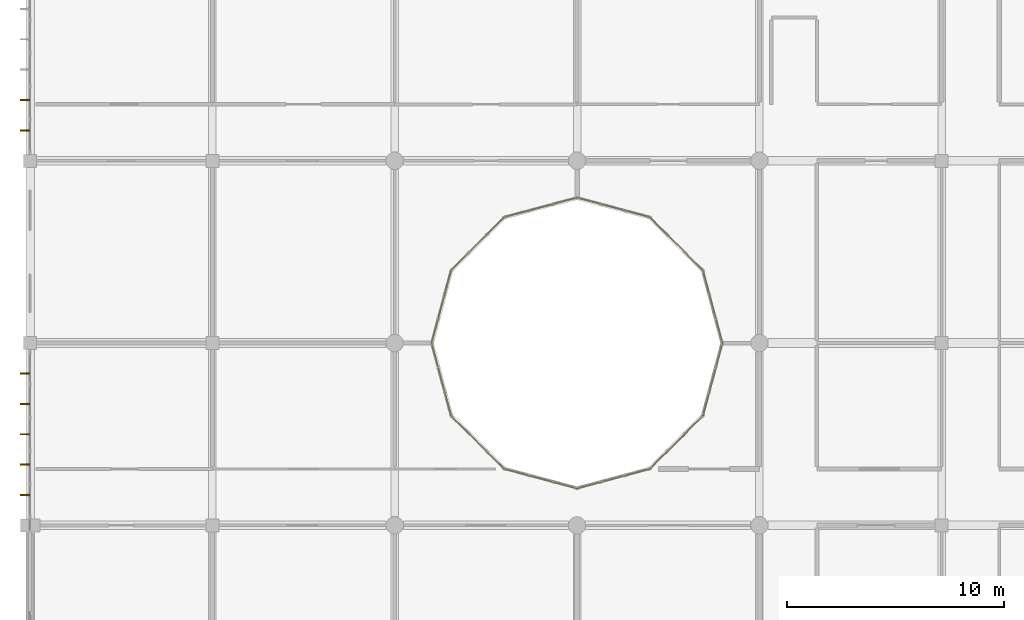
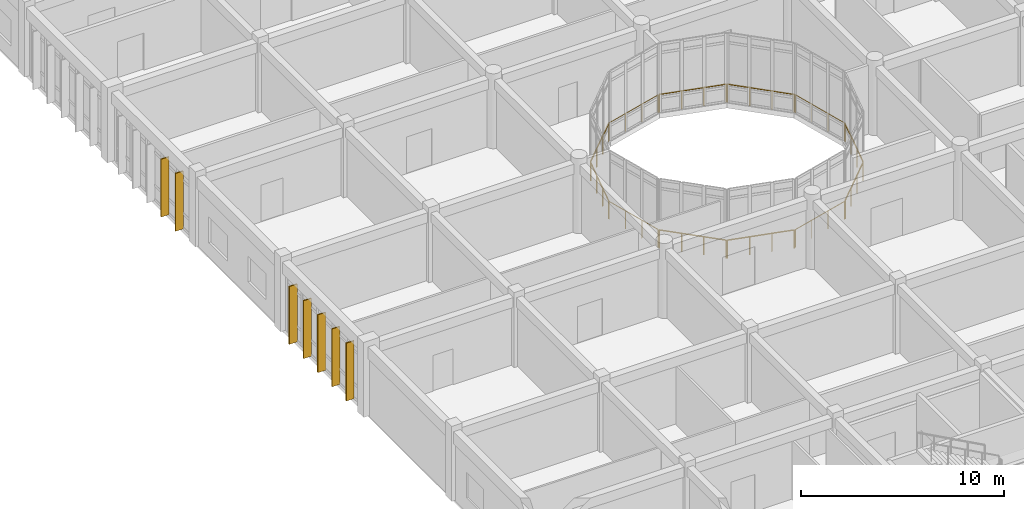
# One storey, part 131 of 144: 12 railings, 7 shading devices.
"""IFC4 building model written with IfcOpenShell, lengths in metres."""

from ifc_helpers import new_model, si_unit, direction, frame, origin, origin_2d, place, context, subcontext, project, spatial, rectangle, circle, extrude, material, material_profile, profile_set, type_object, element, save


model = new_model("IFC4")

# Units and contexts
model_context = context("Model", 3, precision=1e-05, world=origin(), true_north=direction((0.0, 1.0)))
body_context = subcontext(model_context, "Body", "Model", "MODEL_VIEW")
ifc_project = project(units=[si_unit("LENGTHUNIT", "METRE"), si_unit("AREAUNIT", "SQUARE_METRE"), si_unit("VOLUMEUNIT", "CUBIC_METRE"), si_unit("PLANEANGLEUNIT", "RADIAN"), si_unit("MASSUNIT", "GRAM", prefix="KILO")], contexts=[model_context])

# Site, building, storey
site_placement = place(None, origin())
site = spatial("IfcSite", under=ifc_project, at=site_placement, CompositionType="ELEMENT")
building_placement = place(site_placement, origin())
building = spatial("IfcBuilding", under=site, at=building_placement, Name="Bramfleet General Hospital", CompositionType="ELEMENT")
storey_placement = place(building_placement, frame((0.0, 0.0, 4.800048828125)))
storey = spatial("IfcBuildingStorey", under=building, at=storey_placement, Name="L01", CompositionType="ELEMENT", Elevation=4.800048828125)

# Railings
ifc_material_1 = material(Name="Stainless steel 1.4401 safety balustrade", Category="steel")
railing_type = type_object("IfcRailingType", Name="RAIL-EXT-GUARD", PredefinedType="GUARDRAIL", material=ifc_material_1)
railing_1_placement = place(storey_placement, frame((18.506103515625, 83.964599609375, 0.0)))
element("IfcRailing", 1, at=railing_1_placement, inside=storey, type_object=railing_type, Name="L01 Safety Guard Rail 37", PredefinedType="GUARDRAIL", context=body_context, shape_type="SweptSolid", body=[
    extrude(circle(Radius=0.02392578125, at=origin_2d()), frame((0.0, 0.0, 1.076171875), z_axis=(0.258772014909, -0.965938426764, 0.0), x_axis=(0.965938426764, 0.258772014909, 0.0)), (0.0, 0.0, 1.0), 3.396484375),
    extrude(circle(Radius=0.02099609375, at=origin_2d()), origin(), (0.0, 0.0, 1.0), 1.052001953125),
    extrude(circle(Radius=0.02099609375, at=origin_2d()), frame((0.29296875, -1.093505859375, 0.0)), (0.0, 0.0, 1.0), 1.052001953125),
    extrude(circle(Radius=0.02099609375, at=origin_2d()), frame((0.5859375, -2.187255859375, 0.0)), (0.0, 0.0, 1.0), 1.052001953125),
    extrude(circle(Radius=0.02099609375, at=origin_2d()), frame((0.87890625, -3.28076171875, 0.0)), (0.0, 0.0, 1.0), 1.052001953125),
])
railing_2_placement = place(storey_placement, frame((19.420654296875, 80.622314453125, 0.0)))
element("IfcRailing", 2, at=railing_2_placement, inside=storey, type_object=railing_type, Name="L01 Safety Guard Rail 38", PredefinedType="GUARDRAIL", context=body_context, shape_type="SweptSolid", body=[
    extrude(circle(Radius=0.02392578125, at=origin_2d()), frame((0.0, 0.0, 1.076171875), z_axis=(0.707106781187, -0.707106781187, 0.0), x_axis=(0.707106781187, 0.707106781187, 0.0)), (0.0, 0.0, 1.0), 3.396484375),
    extrude(circle(Radius=0.02099609375, at=origin_2d()), origin(), (0.0, 0.0, 1.0), 1.052001953125),
    extrude(circle(Radius=0.02099609375, at=origin_2d()), frame((0.800537109375, -0.800537109375, 0.0)), (0.0, 0.0, 1.0), 1.052001953125),
    extrude(circle(Radius=0.02099609375, at=origin_2d()), frame((1.60107421875, -1.60107421875, 0.0)), (0.0, 0.0, 1.0), 1.052001953125),
    extrude(circle(Radius=0.02099609375, at=origin_2d()), frame((2.401611328125, -2.401611328125, 0.0)), (0.0, 0.0, 1.0), 1.052001953125),
])
railing_3_placement = place(storey_placement, frame((21.8837890625, 78.18505859375, 0.0)))
element("IfcRailing", 3, at=railing_3_placement, inside=storey, type_object=railing_type, Name="L01 Safety Guard Rail 39", PredefinedType="GUARDRAIL", context=body_context, shape_type="SweptSolid", body=[
    extrude(circle(Radius=0.02392578125, at=origin_2d()), frame((0.0, 0.0, 1.076171875), z_axis=(0.965920457522, -0.258839080781, 0.0), x_axis=(0.258839080781, 0.965920457522, 0.0)), (0.0, 0.0, 1.0), 3.396484375),
    extrude(circle(Radius=0.02099609375, at=origin_2d()), origin(), (0.0, 0.0, 1.0), 1.052001953125),
    extrude(circle(Radius=0.02099609375, at=origin_2d()), frame((1.093505859375, -0.29296875, 0.0)), (0.0, 0.0, 1.0), 1.052001953125),
    extrude(circle(Radius=0.02099609375, at=origin_2d()), frame((2.187255859375, -0.586181640625, 0.0)), (0.0, 0.0, 1.0), 1.052001953125),
    extrude(circle(Radius=0.02099609375, at=origin_2d()), frame((3.28076171875, -0.879150390625, 0.0)), (0.0, 0.0, 1.0), 1.052001953125),
])
railing_4_placement = place(storey_placement, frame((25.235595703125, 77.305908203125, 0.0)))
element("IfcRailing", 4, at=railing_4_placement, inside=storey, type_object=railing_type, Name="L01 Safety Guard Rail 40", PredefinedType="GUARDRAIL", context=body_context, shape_type="SweptSolid", body=[
    extrude(circle(Radius=0.02392578125, at=origin_2d()), frame((0.0, 0.0, 1.076171875), z_axis=(0.965915641243, 0.25885705322, 0.0), x_axis=(-0.25885705322, 0.965915641243, 0.0)), (0.0, 0.0, 1.0), 3.396240234375),
    extrude(circle(Radius=0.02099609375, at=origin_2d()), origin(), (0.0, 0.0, 1.0), 1.052001953125),
    extrude(circle(Radius=0.02099609375, at=origin_2d()), frame((1.093505859375, 0.29296875, 0.0)), (0.0, 0.0, 1.0), 1.052001953125),
    extrude(circle(Radius=0.02099609375, at=origin_2d()), frame((2.18701171875, 0.586181640625, 0.0)), (0.0, 0.0, 1.0), 1.052001953125),
    extrude(circle(Radius=0.02099609375, at=origin_2d()), frame((3.280517578125, 0.879150390625, 0.0)), (0.0, 0.0, 1.0), 1.052001953125),
])
railing_5_placement = place(storey_placement, frame((28.577880859375, 78.220703125, 0.0)))
element("IfcRailing", 5, at=railing_5_placement, inside=storey, type_object=railing_type, Name="L01 Safety Guard Rail 41", PredefinedType="GUARDRAIL", context=body_context, shape_type="SweptSolid", body=[
    extrude(circle(Radius=0.02392578125, at=origin_2d()), frame((0.0, 0.0, 1.076171875), z_axis=(0.707106781187, 0.707106781187, 0.0), x_axis=(-0.707106781187, 0.707106781187, 0.0)), (0.0, 0.0, 1.0), 3.396484375),
    extrude(circle(Radius=0.02099609375, at=origin_2d()), origin(), (0.0, 0.0, 1.0), 1.052001953125),
    extrude(circle(Radius=0.02099609375, at=origin_2d()), frame((0.800537109375, 0.800537109375, 0.0)), (0.0, 0.0, 1.0), 1.052001953125),
    extrude(circle(Radius=0.02099609375, at=origin_2d()), frame((1.60107421875, 1.60107421875, 0.0)), (0.0, 0.0, 1.0), 1.052001953125),
    extrude(circle(Radius=0.02099609375, at=origin_2d()), frame((2.401611328125, 2.401611328125, 0.0)), (0.0, 0.0, 1.0), 1.052001953125),
])
railing_6_placement = place(storey_placement, frame((31.014892578125, 80.683837890625, 0.0)))
element("IfcRailing", 6, at=railing_6_placement, inside=storey, type_object=railing_type, Name="L01 Safety Guard Rail 42", PredefinedType="GUARDRAIL", context=body_context, shape_type="SweptSolid", body=[
    extrude(circle(Radius=0.02392578125, at=origin_2d()), frame((0.0, 0.0, 1.076171875), z_axis=(0.258839080781, 0.965920457522, 0.0), x_axis=(-0.965920457522, 0.258839080781, 0.0)), (0.0, 0.0, 1.0), 3.396484375),
    extrude(circle(Radius=0.02099609375, at=origin_2d()), origin(), (0.0, 0.0, 1.0), 1.052001953125),
    extrude(circle(Radius=0.02099609375, at=origin_2d()), frame((0.29296875, 1.093505859375, 0.0)), (0.0, 0.0, 1.0), 1.052001953125),
    extrude(circle(Radius=0.02099609375, at=origin_2d()), frame((0.586181640625, 2.187255859375, 0.0)), (0.0, 0.0, 1.0), 1.052001953125),
    extrude(circle(Radius=0.02099609375, at=origin_2d()), frame((0.879150390625, 3.28076171875, 0.0)), (0.0, 0.0, 1.0), 1.052001953125),
])
railing_7_placement = place(storey_placement, frame((31.89404296875, 84.035400390625, 0.0)))
element("IfcRailing", 7, at=railing_7_placement, inside=storey, type_object=railing_type, Name="L01 Safety Guard Rail 43", PredefinedType="GUARDRAIL", context=body_context, shape_type="SweptSolid", body=[
    extrude(circle(Radius=0.02392578125, at=origin_2d()), frame((0.0, 0.0, 1.076171875), z_axis=(-0.258839080781, 0.965920457522, 0.0), x_axis=(-0.965920457522, -0.258839080781, 0.0)), (0.0, 0.0, 1.0), 3.396484375),
    extrude(circle(Radius=0.02099609375, at=origin_2d()), origin(), (0.0, 0.0, 1.0), 1.052001953125),
    extrude(circle(Radius=0.02099609375, at=origin_2d()), frame((-0.29296875, 1.093505859375, 0.0)), (0.0, 0.0, 1.0), 1.052001953125),
    extrude(circle(Radius=0.02099609375, at=origin_2d()), frame((-0.586181640625, 2.187255859375, 0.0)), (0.0, 0.0, 1.0), 1.052001953125),
    extrude(circle(Radius=0.02099609375, at=origin_2d()), frame((-0.879150390625, 3.28076171875, 0.0)), (0.0, 0.0, 1.0), 1.052001953125),
])
railing_8_placement = place(storey_placement, frame((30.9794921875, 87.377685546875, 0.0)))
element("IfcRailing", 8, at=railing_8_placement, inside=storey, type_object=railing_type, Name="L01 Safety Guard Rail 44", PredefinedType="GUARDRAIL", context=body_context, shape_type="SweptSolid", body=[
    extrude(circle(Radius=0.02392578125, at=origin_2d()), frame((0.0, 0.0, 1.076171875), z_axis=(-0.707106781187, 0.707106781187, 0.0), x_axis=(-0.707106781187, -0.707106781187, 0.0)), (0.0, 0.0, 1.0), 3.396484375),
    extrude(circle(Radius=0.02099609375, at=origin_2d()), origin(), (0.0, 0.0, 1.0), 1.052001953125),
    extrude(circle(Radius=0.02099609375, at=origin_2d()), frame((-0.800537109375, 0.800537109375, 0.0)), (0.0, 0.0, 1.0), 1.052001953125),
    extrude(circle(Radius=0.02099609375, at=origin_2d()), frame((-1.60107421875, 1.60107421875, 0.0)), (0.0, 0.0, 1.0), 1.052001953125),
    extrude(circle(Radius=0.02099609375, at=origin_2d()), frame((-2.401611328125, 2.401611328125, 0.0)), (0.0, 0.0, 1.0), 1.052001953125),
])
railing_9_placement = place(storey_placement, frame((28.51611328125, 89.81494140625, 0.0)))
element("IfcRailing", 9, at=railing_9_placement, inside=storey, type_object=railing_type, Name="L01 Safety Guard Rail 45", PredefinedType="GUARDRAIL", context=body_context, shape_type="SweptSolid", body=[
    extrude(circle(Radius=0.02392578125, at=origin_2d()), frame((0.0, 0.0, 1.076171875), z_axis=(-0.965915641243, 0.25885705322, 0.0), x_axis=(-0.25885705322, -0.965915641243, 0.0)), (0.0, 0.0, 1.0), 3.396240234375),
    extrude(circle(Radius=0.02099609375, at=origin_2d()), origin(), (0.0, 0.0, 1.0), 1.052001953125),
    extrude(circle(Radius=0.02099609375, at=origin_2d()), frame((-1.093505859375, 0.29296875, 0.0)), (0.0, 0.0, 1.0), 1.052001953125),
    extrude(circle(Radius=0.02099609375, at=origin_2d()), frame((-2.18701171875, 0.586181640625, 0.0)), (0.0, 0.0, 1.0), 1.052001953125),
    extrude(circle(Radius=0.02099609375, at=origin_2d()), frame((-3.280517578125, 0.879150390625, 0.0)), (0.0, 0.0, 1.0), 1.052001953125),
])
railing_10_placement = place(storey_placement, frame((25.16455078125, 90.694091796875, 0.0)))
element("IfcRailing", 10, at=railing_10_placement, inside=storey, type_object=railing_type, Name="L01 Safety Guard Rail 46", PredefinedType="GUARDRAIL", context=body_context, shape_type="SweptSolid", body=[
    extrude(circle(Radius=0.02392578125, at=origin_2d()), frame((0.0, 0.0, 1.076171875), z_axis=(-0.965920457522, -0.258839080781, 0.0), x_axis=(0.258839080781, -0.965920457522, 0.0)), (0.0, 0.0, 1.0), 3.396484375),
    extrude(circle(Radius=0.02099609375, at=origin_2d()), origin(), (0.0, 0.0, 1.0), 1.052001953125),
    extrude(circle(Radius=0.02099609375, at=origin_2d()), frame((-1.093505859375, -0.29296875, 0.0)), (0.0, 0.0, 1.0), 1.052001953125),
    extrude(circle(Radius=0.02099609375, at=origin_2d()), frame((-2.187255859375, -0.586181640625, 0.0)), (0.0, 0.0, 1.0), 1.052001953125),
    extrude(circle(Radius=0.02099609375, at=origin_2d()), frame((-3.28076171875, -0.879150390625, 0.0)), (0.0, 0.0, 1.0), 1.052001953125),
])
railing_11_placement = place(storey_placement, frame((21.822265625, 89.779296875, 0.0)))
element("IfcRailing", 11, at=railing_11_placement, inside=storey, type_object=railing_type, Name="L01 Safety Guard Rail 47", PredefinedType="GUARDRAIL", context=body_context, shape_type="SweptSolid", body=[
    extrude(circle(Radius=0.02392578125, at=origin_2d()), frame((0.0, 0.0, 1.076171875), z_axis=(-0.707106781187, -0.707106781187, 0.0), x_axis=(0.707106781187, -0.707106781187, 0.0)), (0.0, 0.0, 1.0), 3.396484375),
    extrude(circle(Radius=0.02099609375, at=origin_2d()), origin(), (0.0, 0.0, 1.0), 1.052001953125),
    extrude(circle(Radius=0.02099609375, at=origin_2d()), frame((-0.800537109375, -0.800537109375, 0.0)), (0.0, 0.0, 1.0), 1.052001953125),
    extrude(circle(Radius=0.02099609375, at=origin_2d()), frame((-1.60107421875, -1.60107421875, 0.0)), (0.0, 0.0, 1.0), 1.052001953125),
    extrude(circle(Radius=0.02099609375, at=origin_2d()), frame((-2.401611328125, -2.401611328125, 0.0)), (0.0, 0.0, 1.0), 1.052001953125),
])
railing_12_placement = place(storey_placement, frame((19.385009765625, 87.316162109375, 0.0)))
element("IfcRailing", 12, at=railing_12_placement, inside=storey, type_object=railing_type, Name="L01 Safety Guard Rail 48", PredefinedType="GUARDRAIL", context=body_context, shape_type="SweptSolid", body=[
    extrude(circle(Radius=0.02392578125, at=origin_2d()), frame((0.0, 0.0, 1.076171875), z_axis=(-0.258772014909, -0.965938426764, 0.0), x_axis=(0.965938426764, -0.258772014909, 0.0)), (0.0, 0.0, 1.0), 3.396484375),
    extrude(circle(Radius=0.02099609375, at=origin_2d()), origin(), (0.0, 0.0, 1.0), 1.052001953125),
    extrude(circle(Radius=0.02099609375, at=origin_2d()), frame((-0.29296875, -1.093505859375, 0.0)), (0.0, 0.0, 1.0), 1.052001953125),
    extrude(circle(Radius=0.02099609375, at=origin_2d()), frame((-0.5859375, -2.187255859375, 0.0)), (0.0, 0.0, 1.0), 1.052001953125),
    extrude(circle(Radius=0.02099609375, at=origin_2d()), frame((-0.87890625, -3.28076171875, 0.0)), (0.0, 0.0, 1.0), 1.052001953125),
])

# Shading devices
ifc_material_2 = material(Name="Treated European larch timber", Category="wood")
ifc_material_profile = material_profile(ifc_material_2, rectangle(XDim=0.06494140625, YDim=0.449951171875, at=origin_2d()), Name="LARCH FIN 450x65")
ifc_profile_set = profile_set([ifc_material_profile], Name="Treated European larch timber")
shading_device_type = type_object("IfcShadingDeviceType", Name="SHD-FIN-450", PredefinedType="USERDEFINED", material=ifc_profile_set)
for number, where, z_axis, x_axis, name in (
    (13, (-0.239990234375, 77.0, -0.02001953125), (0.0, 0.0, 1.0), (0.0, 1.0, 0.0), "L01 Larch Timber Shading Fin 159"),
    (14, (-0.239990234375, 78.39990234375, -0.02001953125), (0.0, 0.0, 1.0), (0.0, 1.0, 0.0), "L01 Larch Timber Shading Fin 160"),
    (15, (-0.239990234375, 79.800048828125, -0.02001953125), (0.0, 0.0, 1.0), (0.0, 1.0, 0.0), "L01 Larch Timber Shading Fin 161"),
    (16, (-0.239990234375, 81.199951171875, -0.02001953125), (0.0, 0.0, 1.0), (0.0, 1.0, 0.0), "L01 Larch Timber Shading Fin 162"),
    (17, (-0.239990234375, 82.60009765625, -0.02001953125), (0.0, 0.0, 1.0), (0.0, 1.0, 0.0), "L01 Larch Timber Shading Fin 163"),
    (18, (-0.239990234375, 93.800048828125, -0.02001953125), (0.0, 0.0, 1.0), (0.0, 1.0, 0.0), "L01 Larch Timber Shading Fin 164"),
    (19, (-0.239990234375, 95.199951171875, -0.02001953125), (0.0, 0.0, 1.0), (0.0, 1.0, 0.0), "L01 Larch Timber Shading Fin 165"),
):
    element("IfcShadingDevice", number, at=place(storey_placement, frame(where, z_axis=z_axis, x_axis=x_axis)), inside=storey, type_object=shading_device_type, Name=name, ObjectType="Fin", PredefinedType="USERDEFINED", context=body_context, shape_type="SweptSolid", body=[
        extrude(rectangle(XDim=0.06494140625, YDim=0.449951171875, at=origin_2d()), origin(), (0.0, 0.0, 1.0), 3.469970703125),
    ])

save(model, "model.ifc")
